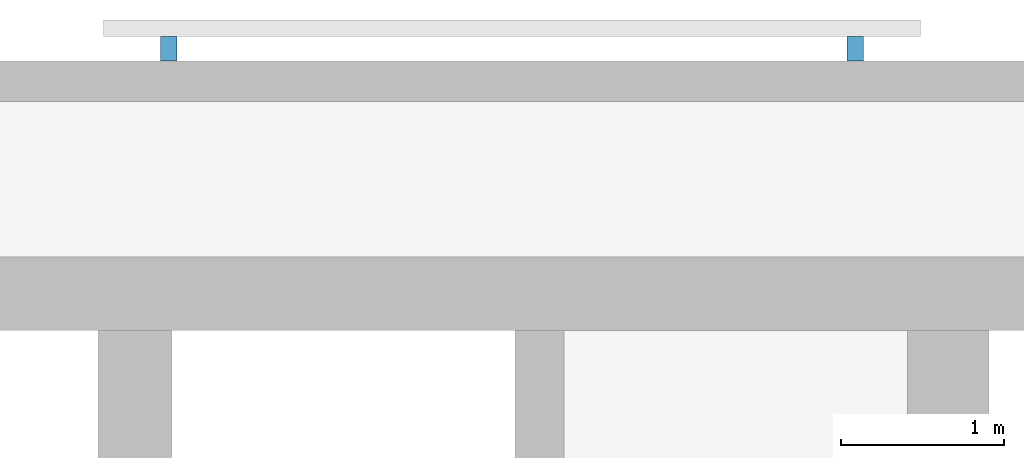
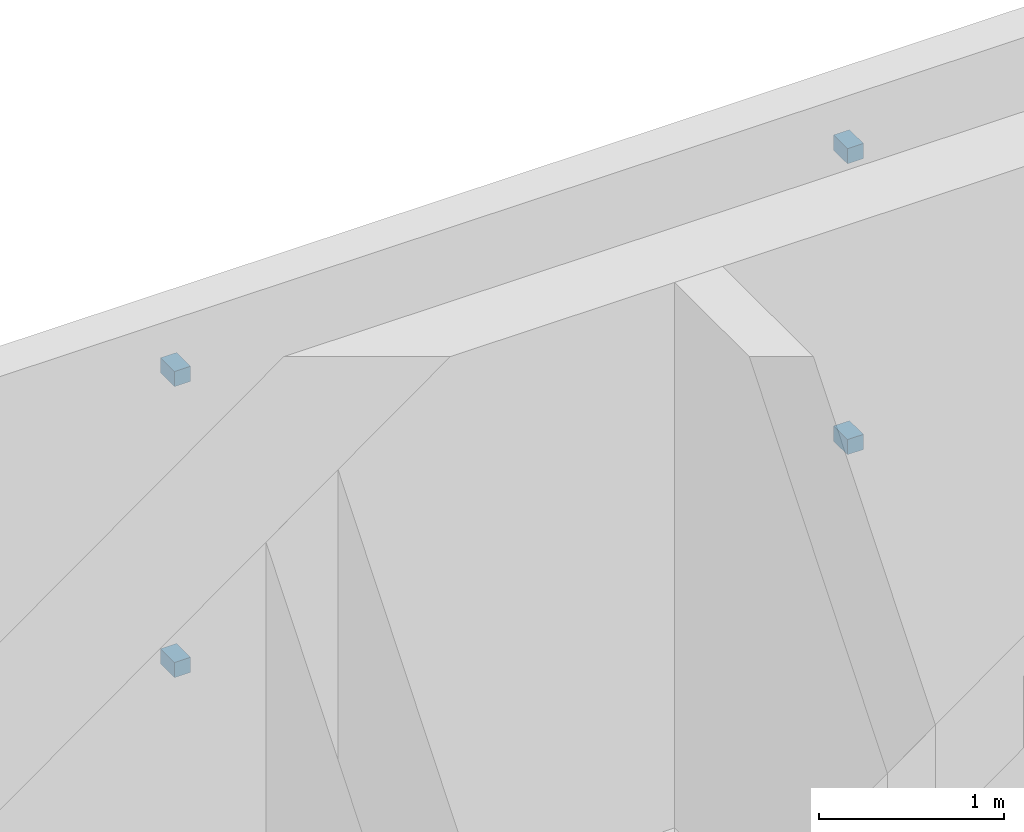
# One storey, part 11 of 14: 4 discrete accessories.
"""IFC4 building model written with IfcOpenShell, lengths in metres."""

from ifc_helpers import new_model, si_unit, direction, frame, origin, origin_2d, place, context, subcontext, project, spatial, rectangle, extrude, material, type_object, element, save


model = new_model("IFC4")

# Units and contexts
model_context = context("Model", 3, precision=1e-05, world=origin(), true_north=direction((0.0, 1.0)))
body_context = subcontext(model_context, "Body", "Model", "MODEL_VIEW")
ifc_project = project(units=[si_unit("LENGTHUNIT", "METRE"), si_unit("AREAUNIT", "SQUARE_METRE"), si_unit("VOLUMEUNIT", "CUBIC_METRE"), si_unit("PLANEANGLEUNIT", "RADIAN"), si_unit("MASSUNIT", "GRAM", prefix="KILO")], contexts=[model_context])

# Site, building, storey
site_placement = place(None, origin())
site = spatial("IfcSite", under=ifc_project, at=site_placement, CompositionType="ELEMENT")
building_placement = place(site_placement, origin())
building = spatial("IfcBuilding", under=site, at=building_placement, Name="Torana Hotel and Residences", CompositionType="ELEMENT")
storey_placement = place(building_placement, frame((0.0, 0.0, 34.800048828125)))
storey = spatial("IfcBuildingStorey", under=building, at=storey_placement, Name="L07", CompositionType="ELEMENT", Elevation=34.800048828125)

# Discrete accessories
ifc_material = material(Name="Steel S355", Category="steel")
discrete_accessory_type = type_object("IfcDiscreteAccessoryType", Name="SCREEN BRACKET 100", PredefinedType="BRACKET", material=ifc_material)
for number, where, z_axis, x_axis, name in (
    (1, (23.681396484375, 1.27490234375, 0.75), (0.0, 0.0, 1.0), (-1.0, 0.0, 0.0), "Screen bracket L07"),
    (2, (23.681396484375, 1.27490234375, 2.669921875), (0.0, 0.0, 1.0), (-1.0, 0.0, 0.0), "Screen bracket L07"),
    (3, (19.4814453125, 1.27490234375, 0.75), (0.0, 0.0, 1.0), (-1.0, 0.0, 0.0), "Screen bracket L07"),
    (4, (19.4814453125, 1.27490234375, 2.669921875), (0.0, 0.0, 1.0), (-1.0, 0.0, 0.0), "Screen bracket L07"),
):
    element("IfcDiscreteAccessory", number, at=place(storey_placement, frame(where, z_axis=z_axis, x_axis=x_axis)), inside=storey, type_object=discrete_accessory_type, Name=name, PredefinedType="BRACKET", context=body_context, shape_type="SweptSolid", body=[
        extrude(rectangle(XDim=0.10009765625, YDim=0.14990234375, at=origin_2d()), origin(), (0.0, 0.0, 1.0), 0.10009765625),
    ])

save(model, "model.ifc")
